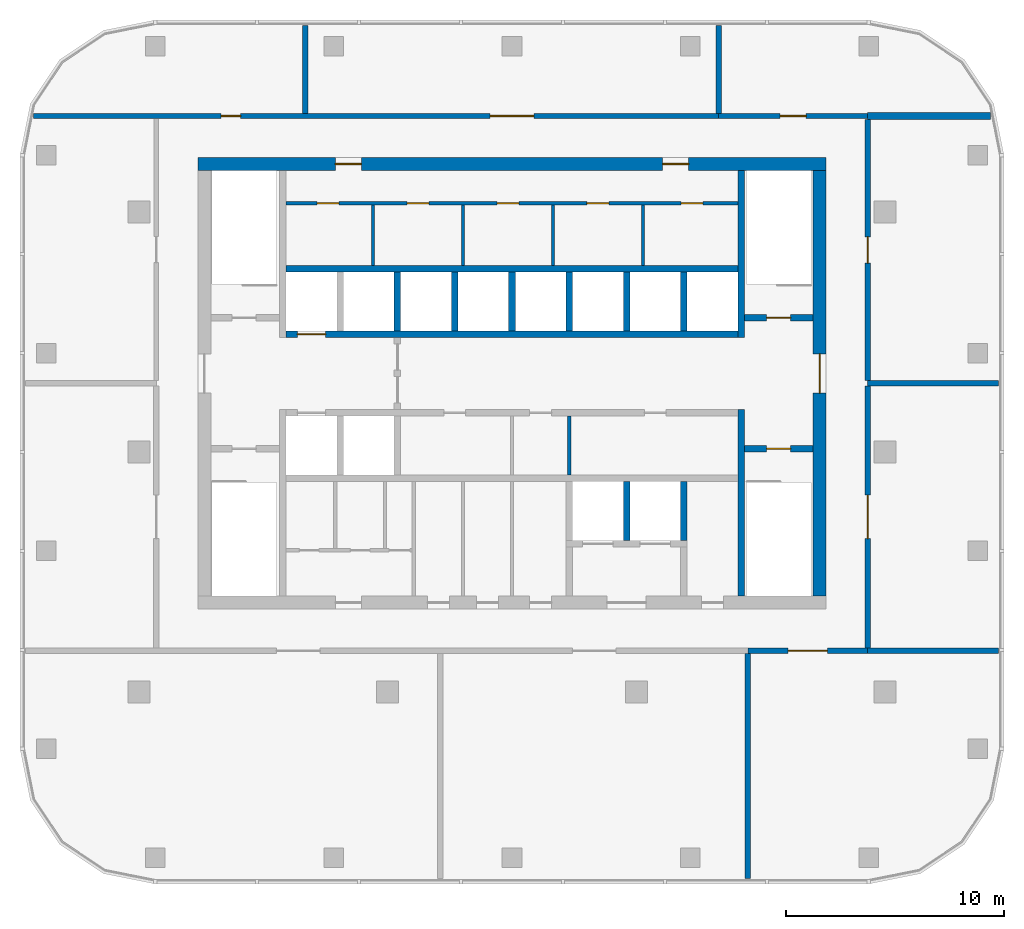
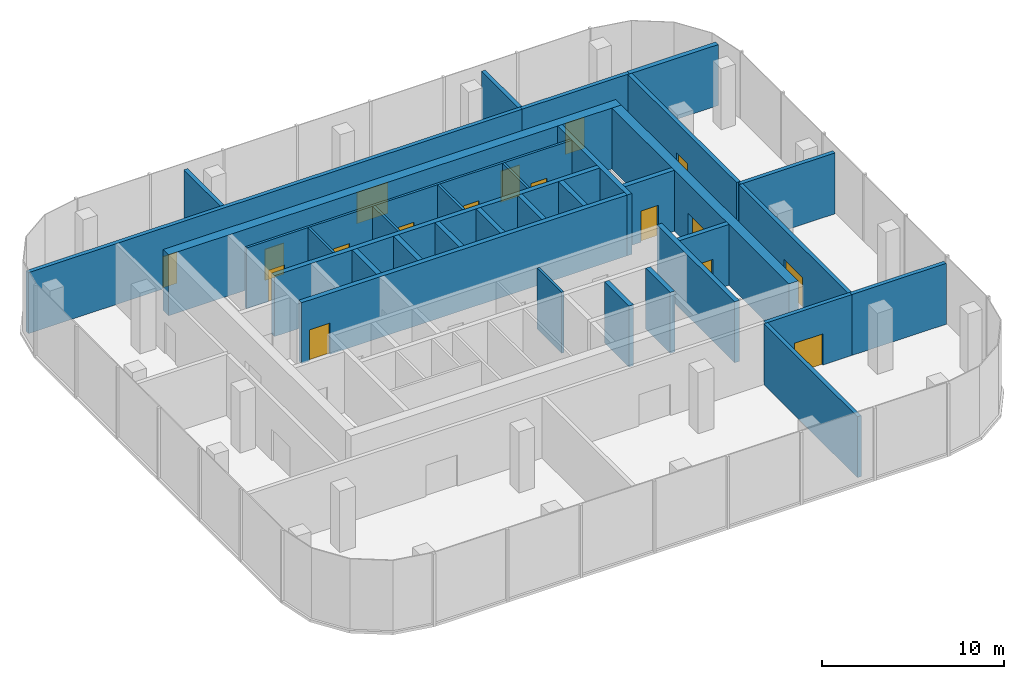
# One storey, part 5 of 6: 33 walls, 17 doors, 17 openings.
"""IFC4 building model written with IfcOpenShell, lengths in metres."""

import ifcopenshell
import ifcopenshell.guid

model = None  # the IFC model being written
_history = None  # IfcOwnerHistory: only IFC2X3 demands one
_inside = {}  # id of a spatial element -> (the spatial element, [elements in it])
_under = {}  # id of a project, library or spatial element -> (it, [spatial elements below it])
_declared = {}  # id of a project -> (the project, [libraries it declares])
_typed = {}  # id of a type object -> (the type object, [elements of that type])
_made_of = {}  # id of a material, layer set ... -> (it, [elements and type objects made of it])


def new_model(schema):
    """Start an empty IFC model of exactly this schema.

    Asked for "IFC4X3", IfcOpenShell would pick the latest addendum, in which some entities
    have other attributes; the version numbers below select the first issue.
    IFC2X3 requires an IfcOwnerHistory on every rooted entity: one is made here for all.
    """
    global model, _history
    if schema == "IFC4X3":
        model = ifcopenshell.file(schema_version=(4, 3, 0, 0))
    else:
        model = ifcopenshell.file(schema=schema)
    _inside.clear()
    _under.clear()
    _declared.clear()
    _typed.clear()
    _made_of.clear()
    _history = None
    if model.schema == "IFC2X3":
        org = make("IfcOrganization", Name="unknown")
        user = make(
            "IfcPersonAndOrganization",
            ThePerson=make("IfcPerson", FamilyName="unknown"),
            TheOrganization=org,
        )
        app = make(
            "IfcApplication",
            ApplicationDeveloper=org,
            Version="unknown",
            ApplicationFullName="unknown",
            ApplicationIdentifier="unknown",
        )
        _history = make(
            "IfcOwnerHistory",
            OwningUser=user,
            OwningApplication=app,
            ChangeAction="ADDED",
            CreationDate=0,
        )
    return model


def make(cls, **values):
    """One entity of the class cls with the attributes given. An attribute that is None is left unset."""
    return model.create_entity(
        cls, **{name: value for name, value in values.items() if value is not None}
    )


def rooted(cls, **values):
    """An entity with a GlobalId (a new one), such as an element, a storey or a relation."""
    return make(cls, GlobalId=ifcopenshell.guid.new(), OwnerHistory=_history, **values)


def si_unit(unit_type, name, prefix=None):
    """IfcSIUnit, for example si_unit("LENGTHUNIT", "METRE", prefix="MILLI")."""
    return make("IfcSIUnit", UnitType=unit_type, Prefix=prefix, Name=name)


def assignment(units):
    """IfcUnitAssignment: the units of a project."""
    return None if units is None else make("IfcUnitAssignment", Units=units)


def point(xyz):
    """IfcCartesianPoint."""
    return None if xyz is None else make("IfcCartesianPoint", Coordinates=xyz)


def direction(xyz):
    """IfcDirection."""
    return None if xyz is None else make("IfcDirection", DirectionRatios=xyz)


def frame(location, z_axis=None, x_axis=None):
    """IfcAxis2Placement3D, a coordinate frame: its origin and axes. An axis left out is left unset."""
    return make(
        "IfcAxis2Placement3D",
        Location=point(location),
        Axis=direction(z_axis),
        RefDirection=direction(x_axis),
    )


def frame_2d(location, x_axis=None):
    """IfcAxis2Placement2D, a coordinate frame in the plane: its origin and x axis."""
    return make(
        "IfcAxis2Placement2D", Location=point(location), RefDirection=direction(x_axis)
    )


def origin():
    """The frame at (0, 0, 0) with its axes left unset."""
    return frame((0.0, 0.0, 0.0))


def place(relative_to, where):
    """IfcLocalPlacement: puts the frame where relative to a parent placement (None: the world)."""
    return make(
        "IfcLocalPlacement", PlacementRelTo=relative_to, RelativePlacement=where
    )


def context(
    kind, dimensions, precision=None, world=None, true_north=None, identifier=None
):
    """IfcGeometricRepresentationContext, for example the 3D "Model" context."""
    return make(
        "IfcGeometricRepresentationContext",
        ContextIdentifier=identifier,
        ContextType=kind,
        CoordinateSpaceDimension=dimensions,
        Precision=precision,
        WorldCoordinateSystem=world,
        TrueNorth=true_north,
    )


def subcontext(parent, identifier, kind, view, scale=None):
    """IfcGeometricRepresentationSubContext, for example "Body" below "Model"."""
    return make(
        "IfcGeometricRepresentationSubContext",
        ContextIdentifier=identifier,
        ContextType=kind,
        ParentContext=parent,
        TargetScale=scale,
        TargetView=view,
    )


def project(units=None, contexts=None):
    """IfcProject with its units and contexts."""
    return rooted(
        "IfcProject",
        Name="project",
        RepresentationContexts=contexts,
        UnitsInContext=assignment(units),
    )


def spatial(cls, under=None, at=None, **own):
    """A site, building, storey or space (cls), placed at a placement, below another one or the project."""
    s = rooted(cls, ObjectPlacement=at, **own)
    if under is not None:
        _under.setdefault(under.id(), (under, []))[1].append(s)
    return s


def profile(cls, at=None, kind="AREA", **sizes):
    """A parametric profile (cls). Its sizes go by their IFC names, for example OverallWidth=200.0."""
    return make(cls, ProfileType=kind, Position=at, **sizes)


def rectangle(**sizes):
    """IfcRectangleProfileDef."""
    return profile("IfcRectangleProfileDef", **sizes)


def extrude(swept, where, along, depth):
    """IfcExtrudedAreaSolid: the profile swept, set in the frame where, extruded along a direction by depth."""
    return make(
        "IfcExtrudedAreaSolid",
        SweptArea=swept,
        Position=where,
        ExtrudedDirection=direction(along),
        Depth=depth,
    )


def shape(context_of_items, identifier, shape_type, items):
    """IfcShapeRepresentation: the items that make up one representation, for example the "Body"."""
    return make(
        "IfcShapeRepresentation",
        ContextOfItems=context_of_items,
        RepresentationIdentifier=identifier,
        RepresentationType=shape_type,
        Items=items,
    )


def material(Name=None, Category=None):
    """IfcMaterial."""
    return make("IfcMaterial", Name=Name, Category=Category)


def layer(
    of_material, thickness, ventilated=None, Name=None, Category=None, Priority=None
):
    """IfcMaterialLayer: one layer of a wall or slab, of a material (None: an air gap)."""
    return make(
        "IfcMaterialLayer",
        Material=of_material,
        LayerThickness=thickness,
        IsVentilated=ventilated,
        Name=Name,
        Category=Category,
        Priority=Priority,
    )


def layer_set(layers, Name=None):
    """IfcMaterialLayerSet."""
    return make("IfcMaterialLayerSet", MaterialLayers=layers, LayerSetName=Name)


def made_of(thing, what):
    """Note that an element or type object is made of a material, layer set ...; save() writes the relation."""
    if what is not None:
        _made_of.setdefault(what.id(), (what, []))[1].append(thing)
    return thing


def type_object(cls, material=None, **own):
    """A type object (cls), such as IfcWallType, which elements share."""
    return made_of(rooted(cls, **own), material)


def element(
    cls,
    number,
    at=None,
    inside=None,
    cuts=None,
    type_object=None,
    material=None,
    context=None,
    identifier="Body",
    shape_type=None,
    held_by="IfcProductDefinitionShape",
    body=None,
    shapes=None,
    **own,
):
    """One element of the class cls, such as IfcWall. Its Tag is "e" and its number.

    at: its placement. inside: the storey or other place that contains it. cuts: it is an
    opening in that element (IfcRelVoidsElement). A single representation is given by context,
    identifier, shape_type and body (its items); several are given by shapes. held_by: the class
    of the entity that holds the representations. save() writes the other relations.
    """
    e = rooted(cls, Tag="e%d" % number, ObjectPlacement=at, **own)
    if body is not None:
        shapes = [shape(context, identifier, shape_type, body)]
    if shapes is not None:
        e.Representation = make(held_by, Representations=shapes)
    if inside is not None:
        _inside.setdefault(inside.id(), (inside, []))[1].append(e)
    if cuts is not None:
        rooted(
            "IfcRelVoidsElement", RelatingBuildingElement=cuts, RelatedOpeningElement=e
        )
    if type_object is not None:
        _typed.setdefault(type_object.id(), (type_object, []))[1].append(e)
    return made_of(e, material)


def fill(opening, filler):
    """IfcRelFillsElement: the door or window that sits in an opening."""
    return rooted(
        "IfcRelFillsElement",
        RelatingOpeningElement=opening,
        RelatedBuildingElement=filler,
    )


def aggregate(whole, parts):
    """IfcRelAggregates: a whole, such as a stair, and the parts it consists of."""
    return rooted("IfcRelAggregates", RelatingObject=whole, RelatedObjects=parts)


def save(model, path):
    """Write the relations noted so far, then the file.

    IfcRelAggregates (storeys below a building ...), IfcRelContainedInSpatialStructure (elements
    in a storey), IfcRelDefinesByType, IfcRelAssociatesMaterial and IfcRelDeclares: one each for
    every whole, place, type object, material and project.
    """
    for whole, parts in _under.values():
        aggregate(whole, parts)
    for where, things in _inside.values():
        rooted(
            "IfcRelContainedInSpatialStructure",
            RelatedElements=things,
            RelatingStructure=where,
        )
    for kind, things in _typed.values():
        rooted("IfcRelDefinesByType", RelatedObjects=things, RelatingType=kind)
    for what, things in _made_of.values():
        rooted("IfcRelAssociatesMaterial", RelatedObjects=things, RelatingMaterial=what)
    for by, libraries in _declared.values():
        rooted("IfcRelDeclares", RelatingContext=by, RelatedDefinitions=libraries)
    model.write(path)


model = new_model("IFC4")

# Units and contexts
model_context = context("Model", 3, precision=1e-05, world=origin(), true_north=direction((0.0, 1.0)))
body_context = subcontext(model_context, "Body", "Model", "MODEL_VIEW")
ifc_project = project(units=[si_unit("LENGTHUNIT", "METRE"), si_unit("AREAUNIT", "SQUARE_METRE"), si_unit("VOLUMEUNIT", "CUBIC_METRE"), si_unit("PLANEANGLEUNIT", "RADIAN"), si_unit("MASSUNIT", "GRAM", prefix="KILO")], contexts=[model_context])

# Site, building, storey
site_placement = place(None, origin())
site = spatial("IfcSite", under=ifc_project, at=site_placement, CompositionType="ELEMENT")
building_placement = place(site_placement, origin())
building = spatial("IfcBuilding", under=site, at=building_placement, Name="Mopane Tessera Tower", CompositionType="ELEMENT")
storey_placement = place(building_placement, frame((0.0, 0.0, 357.39990234375)))
storey = spatial("IfcBuildingStorey", under=building, at=storey_placement, Name="Roof plant", CompositionType="ELEMENT", Elevation=357.39990234375)

# Walls
ifc_material_1 = material(Name="Fire-rated gypsum board partition")
ifc_layer_1 = layer(ifc_material_1, 0.14990234375)
ifc_layer_set_1 = layer_set([ifc_layer_1], Name="Fire-rated gypsum board partition")
wall_type_1 = type_object("IfcWallType", Name="Core room partition 150 mm", PredefinedType="PARTITIONING", material=ifc_layer_set_1)
for number, where, z_axis, x_axis, name in (
    (1, (-6.375, 8.550048828125, 0.0), (0.0, 0.0, 1.0), (0.0, 1.0, 0.0), "Roof plant Room partition"),
    (2, (-2.25, 8.550048828125, 0.0), (0.0, 0.0, 1.0), (0.0, 1.0, 0.0), "Roof plant Room partition"),
    (3, (1.875, 8.550048828125, 0.0), (0.0, 0.0, 1.0), (0.0, 1.0, 0.0), "Roof plant Room partition"),
    (4, (6.0, 8.550048828125, 0.0), (0.0, 0.0, 1.0), (0.0, 1.0, 0.0), "Roof plant Room partition"),
):
    element("IfcWall", number, at=place(storey_placement, frame(where, z_axis=z_axis, x_axis=x_axis)), inside=storey, type_object=wall_type_1, Name=name, PredefinedType="PARTITIONING", context=body_context, shape_type="SweptSolid", body=[
        extrude(rectangle(XDim=2.77490234375, YDim=0.14990234375, at=frame_2d((1.387451171875, 0.0))), origin(), (0.0, 0.0, 1.0), 4.10009765625),
    ])

# Wall, openings, doors
wall_1_placement = place(storey_placement, frame((-10.35009765625, 11.39990234375, 0.0), z_axis=(0.0, 0.0, 1.0), x_axis=(1.0, 0.0, 0.0)))
wall_1 = element("IfcWall", 5, at=wall_1_placement, inside=storey, type_object=wall_type_1, Name="Roof plant Corridor wall", PredefinedType="PARTITIONING", context=body_context, shape_type="SweptSolid", body=[
    extrude(rectangle(XDim=20.7001953125, YDim=0.14990234375, at=frame_2d((10.35009765625, 0.0))), origin(), (0.0, 0.0, 1.0), 4.10009765625),
])
opening_1_placement = place(wall_1_placement, frame((1.41259765625, 0.0, 0.0)))
opening_1 = element("IfcOpeningElement", 6, at=opening_1_placement, cuts=wall_1, Name="Opening RD1", PredefinedType="OPENING", context=body_context, shape_type="SweptSolid", body=[
    extrude(rectangle(XDim=1.0, YDim=2.10009765625, at=frame_2d((0.5, 1.050048828125))), frame((0.0, 0.0869140625, 0.0), z_axis=(0.0, -1.0, 0.0), x_axis=(1.0, 0.0, 0.0)), (0.0, 0.0, 1.0), 0.173828125),
])
opening_2_placement = place(wall_1_placement, frame((5.53759765625, 0.0, 0.0)))
opening_2 = element("IfcOpeningElement", 7, at=opening_2_placement, cuts=wall_1, Name="Opening RD1", PredefinedType="OPENING", context=body_context, shape_type="SweptSolid", body=[
    extrude(rectangle(XDim=1.0, YDim=2.10009765625, at=frame_2d((0.5, 1.050048828125))), frame((0.0, 0.0869140625, 0.0), z_axis=(0.0, -1.0, 0.0), x_axis=(1.0, 0.0, 0.0)), (0.0, 0.0, 1.0), 0.173828125),
])
opening_3_placement = place(wall_1_placement, frame((9.66259765625, 0.0, 0.0)))
opening_3 = element("IfcOpeningElement", 8, at=opening_3_placement, cuts=wall_1, Name="Opening RD1", PredefinedType="OPENING", context=body_context, shape_type="SweptSolid", body=[
    extrude(rectangle(XDim=1.0, YDim=2.10009765625, at=frame_2d((0.5, 1.050048828125))), frame((0.0, 0.0869140625, 0.0), z_axis=(0.0, -1.0, 0.0), x_axis=(1.0, 0.0, 0.0)), (0.0, 0.0, 1.0), 0.173828125),
])
opening_4_placement = place(wall_1_placement, frame((13.78759765625, 0.0, 0.0)))
opening_4 = element("IfcOpeningElement", 9, at=opening_4_placement, cuts=wall_1, Name="Opening RD1", PredefinedType="OPENING", context=body_context, shape_type="SweptSolid", body=[
    extrude(rectangle(XDim=1.0, YDim=2.10009765625, at=frame_2d((0.5, 1.050048828125))), frame((0.0, 0.0869140625, 0.0), z_axis=(0.0, -1.0, 0.0), x_axis=(1.0, 0.0, 0.0)), (0.0, 0.0, 1.0), 0.173828125),
])
opening_5_placement = place(wall_1_placement, frame((18.10009765625, 0.0, 0.0)))
opening_5 = element("IfcOpeningElement", 10, at=opening_5_placement, cuts=wall_1, Name="Opening RD1", PredefinedType="OPENING", context=body_context, shape_type="SweptSolid", body=[
    extrude(rectangle(XDim=1.0, YDim=2.10009765625, at=frame_2d((0.5, 1.050048828125))), frame((0.0, 0.0869140625, 0.0), z_axis=(0.0, -1.0, 0.0), x_axis=(1.0, 0.0, 0.0)), (0.0, 0.0, 1.0), 0.173828125),
])
ifc_material_2 = material(Name="Timber door", Category="wood")
door_type_1 = type_object("IfcDoorType", Name="Core room door 1000 x 2100", OperationType="SINGLE_SWING_LEFT", PredefinedType="DOOR", material=ifc_material_2)
door_1_placement = place(opening_1_placement, origin())
door_1 = element("IfcDoor", 11, at=door_1_placement, inside=storey, type_object=door_type_1, Name="Roof plant Room door", OperationType="SINGLE_SWING_LEFT", OverallHeight=2.10009765625, OverallWidth=1.0, PredefinedType="DOOR", context=body_context, shape_type="SweptSolid", body=[
    extrude(rectangle(XDim=1.0, YDim=2.10009765625, at=frame_2d((0.5, 1.050048828125))), frame((0.0, 0.02490234375, 0.0), z_axis=(0.0, -1.0, 0.0), x_axis=(1.0, 0.0, 0.0)), (0.0, 0.0, 1.0), 0.050048828125),
])
fill(opening_1, door_1)
door_2_placement = place(opening_2_placement, origin())
door_2 = element("IfcDoor", 12, at=door_2_placement, inside=storey, type_object=door_type_1, Name="Roof plant Room door", OperationType="SINGLE_SWING_LEFT", OverallHeight=2.10009765625, OverallWidth=1.0, PredefinedType="DOOR", context=body_context, shape_type="SweptSolid", body=[
    extrude(rectangle(XDim=1.0, YDim=2.10009765625, at=frame_2d((0.5, 1.050048828125))), frame((0.0, 0.02490234375, 0.0), z_axis=(0.0, -1.0, 0.0), x_axis=(1.0, 0.0, 0.0)), (0.0, 0.0, 1.0), 0.050048828125),
])
fill(opening_2, door_2)
door_3_placement = place(opening_3_placement, origin())
door_3 = element("IfcDoor", 13, at=door_3_placement, inside=storey, type_object=door_type_1, Name="Roof plant Room door", OperationType="SINGLE_SWING_LEFT", OverallHeight=2.10009765625, OverallWidth=1.0, PredefinedType="DOOR", context=body_context, shape_type="SweptSolid", body=[
    extrude(rectangle(XDim=1.0, YDim=2.10009765625, at=frame_2d((0.5, 1.050048828125))), frame((0.0, 0.02490234375, 0.0), z_axis=(0.0, -1.0, 0.0), x_axis=(1.0, 0.0, 0.0)), (0.0, 0.0, 1.0), 0.050048828125),
])
fill(opening_3, door_3)
door_4_placement = place(opening_4_placement, origin())
door_4 = element("IfcDoor", 14, at=door_4_placement, inside=storey, type_object=door_type_1, Name="Roof plant Room door", OperationType="SINGLE_SWING_LEFT", OverallHeight=2.10009765625, OverallWidth=1.0, PredefinedType="DOOR", context=body_context, shape_type="SweptSolid", body=[
    extrude(rectangle(XDim=1.0, YDim=2.10009765625, at=frame_2d((0.5, 1.050048828125))), frame((0.0, 0.02490234375, 0.0), z_axis=(0.0, -1.0, 0.0), x_axis=(1.0, 0.0, 0.0)), (0.0, 0.0, 1.0), 0.050048828125),
])
fill(opening_4, door_4)
door_5_placement = place(opening_5_placement, origin())
door_5 = element("IfcDoor", 15, at=door_5_placement, inside=storey, type_object=door_type_1, Name="Roof plant Room door", OperationType="SINGLE_SWING_LEFT", OverallHeight=2.10009765625, OverallWidth=1.0, PredefinedType="DOOR", context=body_context, shape_type="SweptSolid", body=[
    extrude(rectangle(XDim=1.0, YDim=2.10009765625, at=frame_2d((0.5, 1.050048828125))), frame((0.0, 0.02490234375, 0.0), z_axis=(0.0, -1.0, 0.0), x_axis=(1.0, 0.0, 0.0)), (0.0, 0.0, 1.0), 0.050048828125),
])
fill(opening_5, door_5)

# Wall
wall_2_placement = place(storey_placement, frame((2.625, -1.050048828125, 0.0), z_axis=(0.0, 0.0, 1.0), x_axis=(0.0, 1.0, 0.0)))
element("IfcWall", 16, at=wall_2_placement, inside=storey, type_object=wall_type_1, Name="Roof plant Room partition", PredefinedType="PARTITIONING", context=body_context, shape_type="SweptSolid", body=[
    extrude(rectangle(XDim=2.699951171875, YDim=0.14990234375, at=frame_2d((1.35009765625, 0.0))), origin(), (0.0, 0.0, 1.0), 4.10009765625),
])

# Wall, openings, doors
ifc_material_3 = material(Name="Concrete C70/85", Category="concrete")
ifc_layer_2 = layer(ifc_material_3, 0.60009765625)
ifc_layer_set_2 = layer_set([ifc_layer_2], Name="Concrete C70/85")
wall_type_2 = type_object("IfcWallType", Name="Core shear wall 600 mm", PredefinedType="SHEAR", material=ifc_layer_set_2)
wall_3_placement = place(storey_placement, frame((-14.39990234375, 13.199951171875, 0.0), z_axis=(0.0, 0.0, 1.0), x_axis=(1.0, 0.0, 0.0)))
wall_3 = element("IfcWall", 17, at=wall_3_placement, inside=storey, type_object=wall_type_2, Name="Roof plant Core wall north", PredefinedType="SHEAR", context=body_context, shape_type="SweptSolid", body=[
    extrude(rectangle(XDim=28.7998046875, YDim=0.60009765625, at=frame_2d((14.39990234375, 0.0))), origin(), (0.0, 0.0, 1.0), 4.10009765625),
])
opening_6_placement = place(wall_3_placement, frame((6.300048828125, 0.0, 0.0)))
opening_6 = element("IfcOpeningElement", 18, at=opening_6_placement, cuts=wall_3, Name="Opening RD2", PredefinedType="OPENING", context=body_context, shape_type="SweptSolid", body=[
    extrude(rectangle(XDim=1.199951171875, YDim=2.10009765625, at=frame_2d((0.60009765625, 1.050048828125))), frame((0.0, 0.31201171875, 0.0), z_axis=(0.0, -1.0, 0.0), x_axis=(1.0, 0.0, 0.0)), (0.0, 0.0, 1.0), 0.6240234375),
])
opening_7_placement = place(wall_3_placement, frame((21.300048828125, 0.0, 0.0)))
opening_7 = element("IfcOpeningElement", 19, at=opening_7_placement, cuts=wall_3, Name="Opening RD2", PredefinedType="OPENING", context=body_context, shape_type="SweptSolid", body=[
    extrude(rectangle(XDim=1.199951171875, YDim=2.10009765625, at=frame_2d((0.60009765625, 1.050048828125))), frame((0.0, 0.31201171875, 0.0), z_axis=(0.0, -1.0, 0.0), x_axis=(1.0, 0.0, 0.0)), (0.0, 0.0, 1.0), 0.6240234375),
])
ifc_material_4 = material(Name="Timber door", Category="wood")
door_type_2 = type_object("IfcDoorType", Name="Core corridor door 1200 x 2100", OperationType="SINGLE_SWING_LEFT", PredefinedType="DOOR", material=ifc_material_4)
door_6_placement = place(opening_6_placement, origin())
door_6 = element("IfcDoor", 20, at=door_6_placement, inside=storey, type_object=door_type_2, Name="Roof plant Corridor door", OperationType="SINGLE_SWING_LEFT", OverallHeight=2.10009765625, OverallWidth=1.199951171875, PredefinedType="DOOR", context=body_context, shape_type="SweptSolid", body=[
    extrude(rectangle(XDim=1.199951171875, YDim=2.10009765625, at=frame_2d((0.60009765625, 1.050048828125))), frame((0.0, 0.02490234375, 0.0), z_axis=(0.0, -1.0, 0.0), x_axis=(1.0, 0.0, 0.0)), (0.0, 0.0, 1.0), 0.050048828125),
])
fill(opening_6, door_6)
door_7_placement = place(opening_7_placement, origin())
door_7 = element("IfcDoor", 21, at=door_7_placement, inside=storey, type_object=door_type_2, Name="Roof plant Corridor door", OperationType="SINGLE_SWING_RIGHT", OverallHeight=2.10009765625, OverallWidth=1.199951171875, PredefinedType="DOOR", context=body_context, shape_type="SweptSolid", body=[
    extrude(rectangle(XDim=1.199951171875, YDim=2.10009765625, at=frame_2d((0.60009765625, 1.050048828125))), frame((0.0, 0.02490234375, 0.0), z_axis=(0.0, -1.0, 0.0), x_axis=(1.0, 0.0, 0.0)), (0.0, 0.0, 1.0), 0.050048828125),
])
fill(opening_7, door_7)

# Wall, opening, door
wall_4_placement = place(storey_placement, frame((14.10009765625, -6.60009765625, 0.0), z_axis=(0.0, 0.0, 1.0), x_axis=(0.0, 1.0, 0.0)))
wall_4 = element("IfcWall", 22, at=wall_4_placement, inside=storey, type_object=wall_type_2, Name="Roof plant Core wall east", PredefinedType="SHEAR", context=body_context, shape_type="SweptSolid", body=[
    extrude(rectangle(XDim=19.5, YDim=0.60009765625, at=frame_2d((9.75, 0.0))), origin(), (0.0, 0.0, 1.0), 4.10009765625),
])
opening_8_placement = place(wall_4_placement, frame((9.300048828125, 0.0, 0.0)))
opening_8 = element("IfcOpeningElement", 23, at=opening_8_placement, cuts=wall_4, Name="Opening SD2", PredefinedType="OPENING", context=body_context, shape_type="SweptSolid", body=[
    extrude(rectangle(XDim=1.800048828125, YDim=2.10009765625, at=frame_2d((0.89990234375, 1.050048828125))), frame((0.0, 0.31201171875, 0.0), z_axis=(0.0, -1.0, 0.0), x_axis=(1.0, 0.0, 0.0)), (0.0, 0.0, 1.0), 0.6240234375),
])
ifc_material_5 = material(Name="Steel fire door", Category="steel")
door_type_3 = type_object("IfcDoorType", Name="Core entrance double door 1800 x 2100", OperationType="DOUBLE_DOOR_SINGLE_SWING", PredefinedType="DOOR", material=ifc_material_5)
door_8_placement = place(opening_8_placement, origin())
door_8 = element("IfcDoor", 24, at=door_8_placement, inside=storey, type_object=door_type_3, Name="Roof plant Core entrance door east", OperationType="DOUBLE_DOOR_SINGLE_SWING", OverallHeight=2.10009765625, OverallWidth=1.800048828125, PredefinedType="DOOR", context=body_context, shape_type="SweptSolid", body=[
    extrude(rectangle(XDim=1.800048828125, YDim=2.10009765625, at=frame_2d((0.89990234375, 1.050048828125))), frame((0.0, 0.02490234375, 0.0), z_axis=(0.0, -1.0, 0.0), x_axis=(1.0, 0.0, 0.0)), (0.0, 0.0, 1.0), 0.050048828125),
])
fill(opening_8, door_8)

# Walls
ifc_material_6 = material(Name="Concrete C60/75", Category="concrete")
ifc_layer_3 = layer(ifc_material_6, 0.300048828125)
ifc_layer_set_3 = layer_set([ifc_layer_3], Name="Concrete C60/75")
wall_type_3 = type_object("IfcWallType", Name="Core spine wall 300 mm", PredefinedType="SHEAR", material=ifc_layer_set_3)
wall_5_placement = place(storey_placement, frame((10.5, -6.60009765625, 0.0), z_axis=(0.0, 0.0, 1.0), x_axis=(0.0, 1.0, 0.0)))
element("IfcWall", 25, at=wall_5_placement, inside=storey, type_object=wall_type_3, Name="Roof plant Core spine wall", PredefinedType="SHEAR", context=body_context, shape_type="SweptSolid", body=[
    extrude(rectangle(XDim=8.550048828125, YDim=0.300048828125, at=frame_2d((4.27490234375, 0.0))), origin(), (0.0, 0.0, 1.0), 4.10009765625),
])
wall_6_placement = place(storey_placement, frame((10.5, 5.25, 0.0), z_axis=(0.0, 0.0, 1.0), x_axis=(0.0, 1.0, 0.0)))
element("IfcWall", 26, at=wall_6_placement, inside=storey, type_object=wall_type_3, Name="Roof plant Core spine wall", PredefinedType="SHEAR", context=body_context, shape_type="SweptSolid", body=[
    extrude(rectangle(XDim=7.64990234375, YDim=0.300048828125, at=frame_2d((3.824951171875, 0.0))), origin(), (0.0, 0.0, 1.0), 4.10009765625),
])

# Wall, opening, door
ifc_material_7 = material(Name="Concrete C50/60", Category="concrete")
ifc_layer_4 = layer(ifc_material_7, 0.300048828125)
ifc_layer_set_4 = layer_set([ifc_layer_4], Name="Concrete C50/60")
wall_type_4 = type_object("IfcWallType", Name="Lift and stair shaft wall 300 mm", PredefinedType="SOLIDWALL", material=ifc_layer_set_4)
wall_7_placement = place(storey_placement, frame((10.64990234375, 0.14990234375, 0.0), z_axis=(0.0, 0.0, 1.0), x_axis=(1.0, 0.0, 0.0)))
wall_7 = element("IfcWall", 27, at=wall_7_placement, inside=storey, type_object=wall_type_4, Name="Roof plant Stair enclosure wall", PredefinedType="SOLIDWALL", context=body_context, shape_type="SweptSolid", body=[
    extrude(rectangle(XDim=3.150146484375, YDim=0.300048828125, at=frame_2d((1.5751953125, 0.0))), origin(), (0.0, 0.0, 1.0), 4.10009765625),
])
opening_9_placement = place(wall_7_placement, frame((1.02490234375, 0.0, 0.0)))
opening_9 = element("IfcOpeningElement", 28, at=opening_9_placement, cuts=wall_7, Name="Opening SD1", PredefinedType="OPENING", context=body_context, shape_type="SweptSolid", body=[
    extrude(rectangle(XDim=1.10009765625, YDim=2.10009765625, at=frame_2d((0.550048828125, 1.050048828125))), frame((0.0, 0.162109375, 0.0), z_axis=(0.0, -1.0, 0.0), x_axis=(1.0, 0.0, 0.0)), (0.0, 0.0, 1.0), 0.323974609375),
])
ifc_material_8 = material(Name="Steel fire door", Category="steel")
door_type_4 = type_object("IfcDoorType", Name="Stair fire door 1100 x 2100", OperationType="SINGLE_SWING_LEFT", PredefinedType="DOOR", material=ifc_material_8)
door_9_placement = place(opening_9_placement, origin())
door_9 = element("IfcDoor", 29, at=door_9_placement, inside=storey, type_object=door_type_4, Name="Roof plant Stair door ST3", OperationType="SINGLE_SWING_RIGHT", OverallHeight=2.10009765625, OverallWidth=1.10009765625, PredefinedType="DOOR", context=body_context, shape_type="SweptSolid", body=[
    extrude(rectangle(XDim=1.10009765625, YDim=2.10009765625, at=frame_2d((0.550048828125, 1.050048828125))), frame((0.0, 0.02490234375, 0.0), z_axis=(0.0, -1.0, 0.0), x_axis=(1.0, 0.0, 0.0)), (0.0, 0.0, 1.0), 0.050048828125),
])
fill(opening_9, door_9)

wall_8_placement = place(storey_placement, frame((10.64990234375, 6.14990234375, 0.0), z_axis=(0.0, 0.0, 1.0), x_axis=(1.0, 0.0, 0.0)))
wall_8 = element("IfcWall", 30, at=wall_8_placement, inside=storey, type_object=wall_type_4, Name="Roof plant Stair enclosure wall", PredefinedType="SOLIDWALL", context=body_context, shape_type="SweptSolid", body=[
    extrude(rectangle(XDim=3.150146484375, YDim=0.300048828125, at=frame_2d((1.5751953125, 0.0))), origin(), (0.0, 0.0, 1.0), 4.10009765625),
])
opening_10_placement = place(wall_8_placement, frame((1.02490234375, 0.0, 0.0)))
opening_10 = element("IfcOpeningElement", 31, at=opening_10_placement, cuts=wall_8, Name="Opening SD1", PredefinedType="OPENING", context=body_context, shape_type="SweptSolid", body=[
    extrude(rectangle(XDim=1.10009765625, YDim=2.10009765625, at=frame_2d((0.550048828125, 1.050048828125))), frame((0.0, 0.162109375, 0.0), z_axis=(0.0, -1.0, 0.0), x_axis=(1.0, 0.0, 0.0)), (0.0, 0.0, 1.0), 0.323974609375),
])
door_10_placement = place(opening_10_placement, origin())
door_10 = element("IfcDoor", 32, at=door_10_placement, inside=storey, type_object=door_type_4, Name="Roof plant Stair door ST4", OperationType="SINGLE_SWING_RIGHT", OverallHeight=2.10009765625, OverallWidth=1.10009765625, PredefinedType="DOOR", context=body_context, shape_type="SweptSolid", body=[
    extrude(rectangle(XDim=1.10009765625, YDim=2.10009765625, at=frame_2d((0.550048828125, 1.050048828125))), frame((0.0, 0.02490234375, 0.0), z_axis=(0.0, -1.0, 0.0), x_axis=(1.0, 0.0, 0.0)), (0.0, 0.0, 1.0), 0.050048828125),
])
fill(opening_10, door_10)

wall_9_placement = place(storey_placement, frame((-10.35009765625, 5.39990234375, 0.0), z_axis=(0.0, 0.0, 1.0), x_axis=(1.0, 0.0, 0.0)))
wall_9 = element("IfcWall", 33, at=wall_9_placement, inside=storey, type_object=wall_type_4, Name="Roof plant Lift shaft front wall", PredefinedType="SOLIDWALL", context=body_context, shape_type="SweptSolid", body=[
    extrude(rectangle(XDim=20.7001953125, YDim=0.300048828125, at=frame_2d((10.35009765625, 0.0))), origin(), (0.0, 0.0, 1.0), 4.10009765625),
])
opening_11_placement = place(wall_9_placement, frame((0.512451171875, 0.0, 0.0)))
opening_11 = element("IfcOpeningElement", 34, at=opening_11_placement, cuts=wall_9, Name="Opening LD2", PredefinedType="OPENING", context=body_context, shape_type="SweptSolid", body=[
    extrude(rectangle(XDim=1.300048828125, YDim=2.10009765625, at=frame_2d((0.64990234375, 1.050048828125))), frame((0.0, 0.162109375, 0.0), z_axis=(0.0, -1.0, 0.0), x_axis=(1.0, 0.0, 0.0)), (0.0, 0.0, 1.0), 0.323974609375),
])
ifc_material_9 = material(Name="Stainless steel sliding door", Category="steel")
door_type_5 = type_object("IfcDoorType", Name="Fire-fighting lift landing door 1300 x 2100", OperationType="DOUBLE_DOOR_SLIDING", PredefinedType="DOOR", material=ifc_material_9)
door_11_placement = place(opening_11_placement, origin())
door_11 = element("IfcDoor", 35, at=door_11_placement, inside=storey, type_object=door_type_5, Name="Roof plant Lift landing door FF2", OperationType="DOUBLE_DOOR_SLIDING", OverallHeight=2.10009765625, OverallWidth=1.300048828125, PredefinedType="DOOR", context=body_context, shape_type="SweptSolid", body=[
    extrude(rectangle(XDim=1.300048828125, YDim=2.10009765625, at=frame_2d((0.64990234375, 1.050048828125))), frame((0.0, 0.02490234375, 0.0), z_axis=(0.0, -1.0, 0.0), x_axis=(1.0, 0.0, 0.0)), (0.0, 0.0, 1.0), 0.050048828125),
])
fill(opening_11, door_11)

# Walls
wall_10_placement = place(storey_placement, frame((-10.35009765625, 8.39990234375, 0.0), z_axis=(0.0, 0.0, 1.0), x_axis=(1.0, 0.0, 0.0)))
element("IfcWall", 36, at=wall_10_placement, inside=storey, type_object=wall_type_4, Name="Roof plant Lift shaft rear wall", PredefinedType="SOLIDWALL", context=body_context, shape_type="SweptSolid", body=[
    extrude(rectangle(XDim=20.7001953125, YDim=0.300048828125, at=frame_2d((10.35009765625, 0.0))), origin(), (0.0, 0.0, 1.0), 4.10009765625),
])
for number, where, z_axis, x_axis, name in (
    (37, (-5.25, 5.550048828125, 0.0), (0.0, 0.0, 1.0), (0.0, 1.0, 0.0), "Roof plant Lift shaft wall"),
    (38, (-2.625, 5.550048828125, 0.0), (0.0, 0.0, 1.0), (0.0, 1.0, 0.0), "Roof plant Lift shaft wall"),
    (39, (0.0, 5.550048828125, 0.0), (0.0, 0.0, 1.0), (0.0, 1.0, 0.0), "Roof plant Lift shaft wall"),
    (40, (2.625, 5.550048828125, 0.0), (0.0, 0.0, 1.0), (0.0, 1.0, 0.0), "Roof plant Lift shaft wall"),
    (41, (5.25, 5.550048828125, 0.0), (0.0, 0.0, 1.0), (0.0, 1.0, 0.0), "Roof plant Lift shaft wall"),
    (42, (7.875, 5.550048828125, 0.0), (0.0, 0.0, 1.0), (0.0, 1.0, 0.0), "Roof plant Lift shaft wall"),
    (43, (5.25, -4.050048828125, 0.0), (0.0, 0.0, 1.0), (0.0, 1.0, 0.0), "Roof plant Lift shaft wall"),
    (44, (7.875, -4.050048828125, 0.0), (0.0, 0.0, 1.0), (0.0, 1.0, 0.0), "Roof plant Lift shaft wall"),
):
    element("IfcWall", number, at=place(storey_placement, frame(where, z_axis=z_axis, x_axis=x_axis)), inside=storey, type_object=wall_type_4, Name=name, PredefinedType="SOLIDWALL", context=body_context, shape_type="SweptSolid", body=[
        extrude(rectangle(XDim=2.699951171875, YDim=0.300048828125, at=frame_2d((1.35009765625, 0.0))), origin(), (0.0, 0.0, 1.0), 4.10009765625),
    ])
ifc_material_10 = material(Name="Plastered concrete blockwork C20/25", Category="masonry")
ifc_layer_5 = layer(ifc_material_10, 0.300048828125)
ifc_layer_set_5 = layer_set([ifc_layer_5], Name="Plastered concrete blockwork C20/25")
wall_type_5 = type_object("IfcWallType", Name="Plastered blockwork separation wall 300, rated EI 120", PredefinedType="PARTITIONING", material=ifc_layer_set_5)
wall_11_placement = place(storey_placement, frame((16.300048828125, 15.39990234375, 0.0), z_axis=(0.0, 0.0, 1.0), x_axis=(1.0, 0.0, 0.0)))
element("IfcWall", 45, at=wall_11_placement, inside=storey, type_object=wall_type_5, Name="Partition Roof plant:007", PredefinedType="PARTITIONING", context=body_context, shape_type="SweptSolid", body=[
    extrude(rectangle(XDim=5.639892578125, YDim=0.300048828125, at=frame_2d((2.81982421875, 0.0))), origin(), (0.0, 0.0, 1.0), 4.10009765625),
])

# Wall, opening, door
ifc_material_11 = material(Name="Plastered concrete blockwork C20/25", Category="masonry")
ifc_layer_6 = layer(ifc_material_11, 0.25)
ifc_layer_set_6 = layer_set([ifc_layer_6], Name="Plastered concrete blockwork C20/25")
wall_type_6 = type_object("IfcWallType", Name="Plastered blockwork wall 250, rated EI 120", PredefinedType="PARTITIONING", material=ifc_layer_set_6)
wall_12_placement = place(storey_placement, frame((10.81494140625, -9.10009765625, 0.0), z_axis=(0.0, 0.0, 1.0), x_axis=(1.0, 0.0, 0.0)))
wall_12 = element("IfcWall", 46, at=wall_12_placement, inside=storey, type_object=wall_type_6, Name="Partition Roof plant:000", PredefinedType="PARTITIONING", context=body_context, shape_type="SweptSolid", body=[
    extrude(rectangle(XDim=5.485107421875, YDim=0.25, at=frame_2d((2.74267578125, 0.0))), origin(), (0.0, 0.0, 1.0), 4.10009765625),
])
opening_12_placement = place(wall_12_placement, frame((1.842529296875, 0.0, 0.0)))
opening_12 = element("IfcOpeningElement", 47, at=opening_12_placement, cuts=wall_12, Name="Opening Roof plant-03", PredefinedType="OPENING", context=body_context, shape_type="SweptSolid", body=[
    extrude(rectangle(XDim=1.800048828125, YDim=2.10009765625, at=frame_2d((0.89990234375, 1.050048828125))), frame((0.0, 0.136962890625, 0.0), z_axis=(0.0, -1.0, 0.0), x_axis=(1.0, 0.0, 0.0)), (0.0, 0.0, 1.0), 0.27392578125),
])
ifc_material_12 = material(Name="Timber veneered steel-framed fire door", Category="steel")
door_type_6 = type_object("IfcDoorType", Name="Fire door pair FD120 1800 x 2100", OperationType="DOUBLE_DOOR_SINGLE_SWING", PredefinedType="DOOR", material=ifc_material_12)
door_12_placement = place(opening_12_placement, origin())
door_12 = element("IfcDoor", 48, at=door_12_placement, inside=storey, type_object=door_type_6, Name="Door Roof plant-03", ObjectType="D20B", OperationType="DOUBLE_DOOR_SINGLE_SWING", OverallHeight=2.10009765625, OverallWidth=1.800048828125, PredefinedType="DOOR", context=body_context, shape_type="SweptSolid", body=[
    extrude(rectangle(XDim=1.800048828125, YDim=2.10009765625, at=frame_2d((0.89990234375, 1.050048828125))), frame((0.0, 0.02490234375, 0.0), z_axis=(0.0, -1.0, 0.0), x_axis=(1.0, 0.0, 0.0)), (0.0, 0.0, 1.0), 0.050048828125),
])
fill(opening_12, door_12)

# Walls
for number, where, z_axis, x_axis, name in (
    (49, (16.300048828125, -9.10009765625, 0.0), (0.0, 0.0, 1.0), (1.0, 0.0, 0.0), "Partition Roof plant:002"),
    (50, (16.300048828125, 3.14990234375, 0.0), (0.0, 0.0, 1.0), (1.0, 0.0, 0.0), "Partition Roof plant:004"),
):
    element("IfcWall", number, at=place(storey_placement, frame(where, z_axis=z_axis, x_axis=x_axis)), inside=storey, type_object=wall_type_6, Name=name, PredefinedType="PARTITIONING", context=body_context, shape_type="SweptSolid", body=[
        extrude(rectangle(XDim=6.0, YDim=0.25, at=frame_2d((3.0, 0.0))), origin(), (0.0, 0.0, 1.0), 4.10009765625),
    ])

# Wall, opening, door
wall_13_placement = place(storey_placement, frame((9.469970703125, 15.39990234375, 0.0), z_axis=(0.0, 0.0, 1.0), x_axis=(1.0, 0.0, 0.0)))
wall_13 = element("IfcWall", 51, at=wall_13_placement, inside=storey, type_object=wall_type_6, Name="Partition Roof plant:005", PredefinedType="PARTITIONING", context=body_context, shape_type="SweptSolid", body=[
    extrude(rectangle(XDim=6.830078125, YDim=0.25, at=frame_2d((3.4150390625, 0.0))), origin(), (0.0, 0.0, 1.0), 4.10009765625),
])
opening_13_placement = place(wall_13_placement, frame((2.81494140625, 0.0, 0.0)))
opening_13 = element("IfcOpeningElement", 52, at=opening_13_placement, cuts=wall_13, Name="Opening Roof plant-02", PredefinedType="OPENING", context=body_context, shape_type="SweptSolid", body=[
    extrude(rectangle(XDim=1.199951171875, YDim=2.10009765625, at=frame_2d((0.60009765625, 1.050048828125))), frame((0.0, 0.136962890625, 0.0), z_axis=(0.0, -1.0, 0.0), x_axis=(1.0, 0.0, 0.0)), (0.0, 0.0, 1.0), 0.27392578125),
])
ifc_material_13 = material(Name="Timber veneered steel-framed fire door", Category="steel")
door_type_7 = type_object("IfcDoorType", Name="Fire door FD120 1200 x 2100", OperationType="SINGLE_SWING_LEFT", PredefinedType="DOOR", material=ifc_material_13)
door_13_placement = place(opening_13_placement, origin())
door_13 = element("IfcDoor", 53, at=door_13_placement, inside=storey, type_object=door_type_7, Name="Door Roof plant-02", ObjectType="D15B", OperationType="SINGLE_SWING_RIGHT", OverallHeight=2.10009765625, OverallWidth=1.199951171875, PredefinedType="DOOR", context=body_context, shape_type="SweptSolid", body=[
    extrude(rectangle(XDim=1.199951171875, YDim=2.10009765625, at=frame_2d((0.60009765625, 1.050048828125))), frame((0.0, 0.02490234375, 0.0), z_axis=(0.0, -1.0, 0.0), x_axis=(1.0, 0.0, 0.0)), (0.0, 0.0, 1.0), 0.050048828125),
])
fill(opening_13, door_13)

# Wall, openings, doors
wall_14_placement = place(storey_placement, frame((-21.93994140625, 15.39990234375, 0.0), z_axis=(0.0, 0.0, 1.0), x_axis=(1.0, 0.0, 0.0)))
wall_14 = element("IfcWall", 54, at=wall_14_placement, inside=storey, type_object=wall_type_6, Name="Partition Roof plant:006", PredefinedType="PARTITIONING", context=body_context, shape_type="SweptSolid", body=[
    extrude(rectangle(XDim=31.409912109375, YDim=0.25, at=frame_2d((15.705078125, 0.0))), origin(), (0.0, 0.0, 1.0), 4.10009765625),
])
opening_14_placement = place(wall_14_placement, frame((20.93994140625, 0.0, 0.0)))
opening_14 = element("IfcOpeningElement", 55, at=opening_14_placement, cuts=wall_14, Name="Opening Roof plant-01", PredefinedType="OPENING", context=body_context, shape_type="SweptSolid", body=[
    extrude(rectangle(XDim=2.0, YDim=2.10009765625, at=frame_2d((1.0, 1.050048828125))), frame((0.0, 0.136962890625, 0.0), z_axis=(0.0, -1.0, 0.0), x_axis=(1.0, 0.0, 0.0)), (0.0, 0.0, 1.0), 0.27392578125),
])
opening_15_placement = place(wall_14_placement, frame((8.60498046875, 0.0, 0.0)))
opening_15 = element("IfcOpeningElement", 56, at=opening_15_placement, cuts=wall_14, Name="Opening Roof plant-07", PredefinedType="OPENING", context=body_context, shape_type="SweptSolid", body=[
    extrude(rectangle(XDim=0.89990234375, YDim=2.10009765625, at=frame_2d((0.449951171875, 1.050048828125))), frame((0.0, 0.136962890625, 0.0), z_axis=(0.0, -1.0, 0.0), x_axis=(1.0, 0.0, 0.0)), (0.0, 0.0, 1.0), 0.27392578125),
])
ifc_material_14 = material(Name="Timber veneered steel-framed fire door", Category="steel")
door_type_8 = type_object("IfcDoorType", Name="Fire door FD120 900 x 2100", OperationType="SINGLE_SWING_LEFT", PredefinedType="DOOR", material=ifc_material_14)
door_14_placement = place(opening_15_placement, origin())
door_14 = element("IfcDoor", 57, at=door_14_placement, inside=storey, type_object=door_type_8, Name="Door Roof plant-07", ObjectType="D10B", OperationType="SINGLE_SWING_LEFT", OverallHeight=2.10009765625, OverallWidth=0.89990234375, PredefinedType="DOOR", context=body_context, shape_type="SweptSolid", body=[
    extrude(rectangle(XDim=0.89990234375, YDim=2.10009765625, at=frame_2d((0.449951171875, 1.050048828125))), frame((0.0, 0.02490234375, 0.0), z_axis=(0.0, -1.0, 0.0), x_axis=(1.0, 0.0, 0.0)), (0.0, 0.0, 1.0), 0.050048828125),
])
fill(opening_15, door_14)
ifc_material_15 = material(Name="Timber veneered steel-framed fire door", Category="steel")
door_type_9 = type_object("IfcDoorType", Name="Fire door pair FD120 2000 x 2100", OperationType="DOUBLE_DOOR_SINGLE_SWING", PredefinedType="DOOR", material=ifc_material_15)
door_15_placement = place(opening_14_placement, origin())
door_15 = element("IfcDoor", 58, at=door_15_placement, inside=storey, type_object=door_type_9, Name="Door Roof plant-01", ObjectType="D25B", OperationType="DOUBLE_DOOR_SINGLE_SWING", OverallHeight=2.10009765625, OverallWidth=2.0, PredefinedType="DOOR", context=body_context, shape_type="SweptSolid", body=[
    extrude(rectangle(XDim=2.0, YDim=2.10009765625, at=frame_2d((1.0, 1.050048828125))), frame((0.0, 0.02490234375, 0.0), z_axis=(0.0, -1.0, 0.0), x_axis=(1.0, 0.0, 0.0)), (0.0, 0.0, 1.0), 0.050048828125),
])
fill(opening_14, door_15)

# Walls
for number, where, z_axis, x_axis, name in (
    (59, (-9.469970703125, 15.52490234375, 0.0), (0.0, 0.0, 1.0), (0.0, 1.0, 0.0), "Partition Roof plant:010"),
    (60, (9.469970703125, 15.52490234375, 0.0), (0.0, 0.0, 1.0), (0.0, 1.0, 0.0), "Partition Roof plant:012"),
):
    element("IfcWall", number, at=place(storey_placement, frame(where, z_axis=z_axis, x_axis=x_axis)), inside=storey, type_object=wall_type_6, Name=name, PredefinedType="PARTITIONING", context=body_context, shape_type="SweptSolid", body=[
        extrude(rectangle(XDim=4.025146484375, YDim=0.25, at=frame_2d((2.0126953125, 0.0))), origin(), (0.0, 0.0, 1.0), 4.10009765625),
    ])
wall_15_placement = place(storey_placement, frame((10.81494140625, -19.550048828125, 0.0), z_axis=(0.0, 0.0, 1.0), x_axis=(0.0, 1.0, 0.0)))
element("IfcWall", 61, at=wall_15_placement, inside=storey, type_object=wall_type_6, Name="Partition Roof plant:013", PredefinedType="PARTITIONING", context=body_context, shape_type="SweptSolid", body=[
    extrude(rectangle(XDim=10.324951171875, YDim=0.25, at=frame_2d((5.16259765625, 0.0))), origin(), (0.0, 0.0, 1.0), 4.10009765625),
])

# Wall, opening, door
wall_16_placement = place(storey_placement, frame((16.300048828125, 3.27490234375, 0.0), z_axis=(0.0, 0.0, 1.0), x_axis=(0.0, 1.0, 0.0)))
wall_16 = element("IfcWall", 62, at=wall_16_placement, inside=storey, type_object=wall_type_6, Name="Partition Roof plant:014", PredefinedType="PARTITIONING", context=body_context, shape_type="SweptSolid", body=[
    extrude(rectangle(XDim=11.97509765625, YDim=0.25, at=frame_2d((5.987548828125, 0.0))), origin(), (0.0, 0.0, 1.0), 4.10009765625),
])
opening_16_placement = place(wall_16_placement, frame((5.387451171875, 0.0, 0.0)))
opening_16 = element("IfcOpeningElement", 63, at=opening_16_placement, cuts=wall_16, Name="Opening Roof plant-09", PredefinedType="OPENING", context=body_context, shape_type="SweptSolid", body=[
    extrude(rectangle(XDim=1.199951171875, YDim=2.10009765625, at=frame_2d((0.60009765625, 1.050048828125))), frame((0.0, 0.136962890625, 0.0), z_axis=(0.0, -1.0, 0.0), x_axis=(1.0, 0.0, 0.0)), (0.0, 0.0, 1.0), 0.27392578125),
])
door_16_placement = place(opening_16_placement, origin())
door_16 = element("IfcDoor", 64, at=door_16_placement, inside=storey, type_object=door_type_7, Name="Door Roof plant-09", ObjectType="D15B", OperationType="SINGLE_SWING_RIGHT", OverallHeight=2.10009765625, OverallWidth=1.199951171875, PredefinedType="DOOR", context=body_context, shape_type="SweptSolid", body=[
    extrude(rectangle(XDim=1.199951171875, YDim=2.10009765625, at=frame_2d((0.60009765625, 1.050048828125))), frame((0.0, 0.02490234375, 0.0), z_axis=(0.0, -1.0, 0.0), x_axis=(1.0, 0.0, 0.0)), (0.0, 0.0, 1.0), 0.050048828125),
])
fill(opening_16, door_16)

wall_17_placement = place(storey_placement, frame((16.300048828125, -8.97509765625, 0.0), z_axis=(0.0, 0.0, 1.0), x_axis=(0.0, 1.0, 0.0)))
wall_17 = element("IfcWall", 65, at=wall_17_placement, inside=storey, type_object=wall_type_6, Name="Partition Roof plant:015", PredefinedType="PARTITIONING", context=body_context, shape_type="SweptSolid", body=[
    extrude(rectangle(XDim=12.0, YDim=0.25, at=frame_2d((6.0, 0.0))), origin(), (0.0, 0.0, 1.0), 4.10009765625),
])
opening_17_placement = place(wall_17_placement, frame((5.0, 0.0, 0.0)))
opening_17 = element("IfcOpeningElement", 66, at=opening_17_placement, cuts=wall_17, Name="Opening Roof plant-10", PredefinedType="OPENING", context=body_context, shape_type="SweptSolid", body=[
    extrude(rectangle(XDim=2.0, YDim=2.10009765625, at=frame_2d((1.0, 1.050048828125))), frame((0.0, 0.136962890625, 0.0), z_axis=(0.0, -1.0, 0.0), x_axis=(1.0, 0.0, 0.0)), (0.0, 0.0, 1.0), 0.27392578125),
])
door_17_placement = place(opening_17_placement, origin())
door_17 = element("IfcDoor", 67, at=door_17_placement, inside=storey, type_object=door_type_9, Name="Door Roof plant-10", ObjectType="D25B", OperationType="DOUBLE_DOOR_SINGLE_SWING", OverallHeight=2.10009765625, OverallWidth=2.0, PredefinedType="DOOR", context=body_context, shape_type="SweptSolid", body=[
    extrude(rectangle(XDim=2.0, YDim=2.10009765625, at=frame_2d((1.0, 1.050048828125))), frame((0.0, 0.02490234375, 0.0), z_axis=(0.0, -1.0, 0.0), x_axis=(1.0, 0.0, 0.0)), (0.0, 0.0, 1.0), 0.050048828125),
])
fill(opening_17, door_17)

save(model, "model.ifc")
